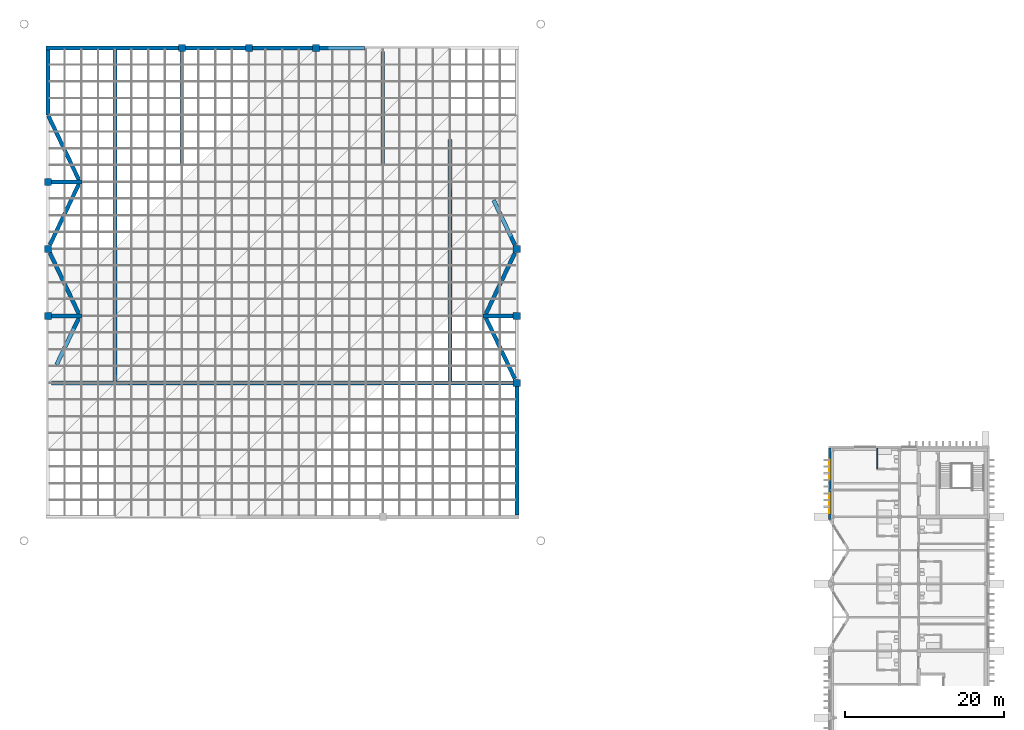
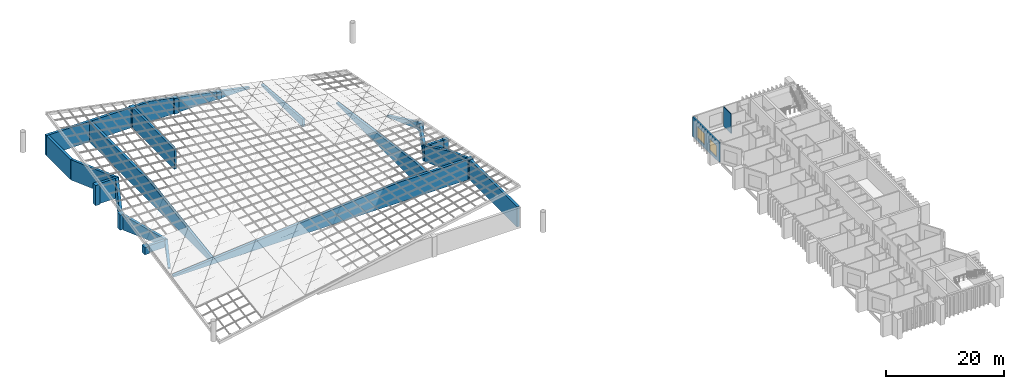
# One storey, part 17 of 20: 32 walls, 2 windows, 2 openings.
"""IFC4 building model written with IfcOpenShell, lengths in metres."""

from ifc_helpers import new_model, si_unit, direction, frame, frame_2d, origin, place, context, subcontext, project, spatial, polyline, rectangle, outline, extrude, material, layer, layer_set, type_object, element, fill, save


model = new_model("IFC4")

# Units and contexts
model_context = context("Model", 3, precision=1e-05, world=origin(), true_north=direction((0.0, 1.0)))
body_context = subcontext(model_context, "Body", "Model", "MODEL_VIEW")
ifc_project = project(units=[si_unit("LENGTHUNIT", "METRE"), si_unit("AREAUNIT", "SQUARE_METRE"), si_unit("VOLUMEUNIT", "CUBIC_METRE"), si_unit("PLANEANGLEUNIT", "RADIAN"), si_unit("MASSUNIT", "GRAM", prefix="KILO")], contexts=[model_context])

# Site, building, storey
site_placement = place(None, origin())
site = spatial("IfcSite", under=ifc_project, at=site_placement, CompositionType="ELEMENT")
building_placement = place(site_placement, origin())
building = spatial("IfcBuilding", under=site, at=building_placement, Name="Cresset Court Congress Hotel", CompositionType="ELEMENT")
storey_placement = place(building_placement, frame((0.0, 0.0, 27.0)))
storey = spatial("IfcBuildingStorey", under=building, at=storey_placement, Name="L06", CompositionType="ELEMENT", Elevation=27.0)

# Wall
ifc_material_1 = material(Name="Gypsum board partition")
ifc_layer_1 = layer(ifc_material_1, 0.14990234375)
ifc_layer_set_1 = layer_set([ifc_layer_1], Name="En-suite wall 150")
wall_type_1 = type_object("IfcWallType", Name="En-suite wall 150", PredefinedType="PARTITIONING", material=ifc_layer_set_1)
wall_1_placement = place(storey_placement, frame((162.800048828125, 64.800048828125, 0.0), z_axis=(0.0, 0.0, 1.0), x_axis=(0.0, 1.0, 0.0)))
element("IfcWall", 1, at=wall_1_placement, inside=storey, type_object=wall_type_1, Name="A.wl.L06.031", PredefinedType="PARTITIONING", context=body_context, shape_type="SweptSolid", body=[
    extrude(rectangle(XDim=2.619873046875, YDim=0.14990234375, at=frame_2d((1.31005859375, 0.0))), origin(), (0.0, 0.0, 1.0), 4.050048828125),
])

# Wall, openings, windows
ifc_material_2 = material(Name="Precast concrete C50", Category="concrete")
ifc_layer_2 = layer(ifc_material_2, 0.280029296875)
ifc_layer_set_2 = layer_set([ifc_layer_2], Name="External wall 280")
wall_type_2 = type_object("IfcWallType", Name="External wall 280", PredefinedType="SOLIDWALL", material=ifc_layer_set_2)
wall_2_placement = place(storey_placement, frame((156.840087890625, 58.449951171875, 0.0), z_axis=(0.0, 0.0, 1.0), x_axis=(0.0, 1.0, 0.0)))
wall_2 = element("IfcWall", 2, at=wall_2_placement, inside=storey, type_object=wall_type_2, Name="A.ew.L06.W.5", PredefinedType="SOLIDWALL", context=body_context, shape_type="SweptSolid", body=[
    extrude(rectangle(XDim=8.969970703125, YDim=0.280029296875, at=frame_2d((4.48486328125, 0.0))), origin(), (0.0, 0.0, 1.0), 4.050048828125),
])
opening_1_placement = place(wall_2_placement, frame((0.77001953125, 0.0, 0.60009765625)))
opening_1 = element("IfcOpeningElement", 3, at=opening_1_placement, cuts=wall_2, Name="Opening NA-06-15", PredefinedType="OPENING", context=body_context, shape_type="SweptSolid", body=[
    extrude(rectangle(XDim=2.52001953125, YDim=2.39990234375, at=frame_2d((1.260009765625, 1.199951171875))), frame((0.0, 0.14990234375, 0.0), z_axis=(0.0, -1.0, 0.0), x_axis=(1.0, 0.0, 0.0)), (0.0, 0.0, 1.0), 0.300048828125),
])
opening_2_placement = place(wall_2_placement, frame((4.969970703125, 0.0, 0.60009765625)))
opening_2 = element("IfcOpeningElement", 4, at=opening_2_placement, cuts=wall_2, Name="Opening NA-06-16", PredefinedType="OPENING", context=body_context, shape_type="SweptSolid", body=[
    extrude(rectangle(XDim=2.52001953125, YDim=2.39990234375, at=frame_2d((1.260009765625, 1.199951171875))), frame((0.0, 0.14990234375, 0.0), z_axis=(0.0, -1.0, 0.0), x_axis=(1.0, 0.0, 0.0)), (0.0, 0.0, 1.0), 0.300048828125),
])
ifc_material_3 = material(Name="Aluminium and glass", Category="aluminium")
window_type = type_object("IfcWindowType", Name="Window 2520x2400", PartitioningType="SINGLE_PANEL", PredefinedType="WINDOW", material=ifc_material_3)
window_1_placement = place(opening_1_placement, origin())
window_1 = element("IfcWindow", 5, at=window_1_placement, inside=storey, type_object=window_type, Name="Window NA-06-15", OverallHeight=2.39990234375, OverallWidth=2.52001953125, PartitioningType="SINGLE_PANEL", PredefinedType="WINDOW", context=body_context, shape_type="SweptSolid", body=[
    extrude(rectangle(XDim=2.52001953125, YDim=2.39990234375, at=frame_2d((1.260009765625, 1.199951171875))), frame((0.0, 0.030029296875, 0.0), z_axis=(0.0, -1.0, 0.0), x_axis=(1.0, 0.0, 0.0)), (0.0, 0.0, 1.0), 0.06005859375),
])
fill(opening_1, window_1)
window_2_placement = place(opening_2_placement, origin())
window_2 = element("IfcWindow", 6, at=window_2_placement, inside=storey, type_object=window_type, Name="Window NA-06-16", OverallHeight=2.39990234375, OverallWidth=2.52001953125, PartitioningType="SINGLE_PANEL", PredefinedType="WINDOW", context=body_context, shape_type="SweptSolid", body=[
    extrude(rectangle(XDim=2.52001953125, YDim=2.39990234375, at=frame_2d((1.260009765625, 1.199951171875))), frame((0.0, 0.030029296875, 0.0), z_axis=(0.0, -1.0, 0.0), x_axis=(1.0, 0.0, 0.0)), (0.0, 0.0, 1.0), 0.06005859375),
])
fill(opening_2, window_2)

# Walls
ifc_material_4 = material(Name="Concrete C50", Category="concrete")
ifc_layer_3 = layer(ifc_material_4, 0.449951171875)
ifc_layer_set_3 = layer_set([ifc_layer_3], Name="Fly-tower wall 450")
wall_type_3 = type_object("IfcWallType", Name="Fly-tower wall 450", PredefinedType="SOLIDWALL", material=ifc_layer_set_3)
wall_3_placement = place(storey_placement, frame((75.60009765625, 103.0, 0.0), z_axis=(0.0, 0.0, 1.0), x_axis=(0.0, 1.0, 0.0)))
element("IfcWall", 7, at=wall_3_placement, inside=storey, type_object=wall_type_3, Name="Wall CS-1L06", PredefinedType="SOLIDWALL", context=body_context, shape_type="SweptSolid", body=[
    extrude(outline(polyline([(0.0, 0.0), (14.14990234375, 0.0), (14.14990234375, 4.199951171875), (0.6640625, 4.199951171875), (0.0, 4.142822265625), (0.0, 0.0)])), frame((0.0, 0.22509765625, 0.0), z_axis=(0.0, -1.0, 0.0), x_axis=(1.0, 0.0, 0.0)), (0.0, 0.0, 1.0), 0.449951171875),
])
wall_4_placement = place(storey_placement, frame((100.800048828125, 103.0, 0.0), z_axis=(0.0, 0.0, 1.0), x_axis=(0.0, 1.0, 0.0)))
element("IfcWall", 8, at=wall_4_placement, inside=storey, type_object=wall_type_3, Name="Wall CS-2L06", PredefinedType="SOLIDWALL", context=body_context, shape_type="SweptSolid", body=[
    extrude(outline(polyline([(0.0, 0.0), (14.14990234375, 0.0), (14.14990234375, 0.380126953125), (0.0, 1.59716796875), (0.0, 0.0)])), frame((0.0, 0.22509765625, 0.0), z_axis=(0.0, -1.0, 0.0), x_axis=(1.0, 0.0, 0.0)), (0.0, 0.0, 1.0), 0.449951171875),
])
ifc_material_5 = material(Name="Concrete C50", Category="concrete")
ifc_layer_4 = layer(ifc_material_5, 0.5)
ifc_layer_set_4 = layer_set([ifc_layer_4], Name="Hall inner wall 500")
wall_type_4 = type_object("IfcWallType", Name="Hall inner wall 500", PredefinedType="SOLIDWALL", material=ifc_layer_set_4)
wall_5_placement = place(storey_placement, frame((59.25, 75.60009765625, 0.0), z_axis=(0.0, 0.0, 1.0), x_axis=(1.0, 0.0, 0.0)))
element("IfcWall", 9, at=wall_5_placement, inside=storey, type_object=wall_type_4, Name="Wall CI-RL06", PredefinedType="SOLIDWALL", context=body_context, shape_type="SweptSolid", body=[
    extrude(outline(polyline([(0.0, 0.0), (57.89990234375, 0.0), (57.89990234375, 4.199951171875), (44.4140625, 4.199951171875), (0.0, 0.380126953125), (0.0, 0.0)])), frame((0.0, 0.25, 0.0), z_axis=(0.0, -1.0, 0.0), x_axis=(1.0, 0.0, 0.0)), (0.0, 0.0, 1.0), 0.5),
])
wall_6_placement = place(storey_placement, frame((67.199951171875, 75.85009765625, 0.0), z_axis=(0.0, 0.0, 1.0), x_axis=(0.0, 1.0, 0.0)))
element("IfcWall", 10, at=wall_6_placement, inside=storey, type_object=wall_type_4, Name="Wall CI-WL06", PredefinedType="SOLIDWALL", context=body_context, shape_type="SweptSolid", body=[
    extrude(outline(polyline([(0.0, 0.0), (41.5, 0.0), (41.5, 4.199951171875), (21.62841796875, 4.199951171875), (0.0, 1.099609375), (0.0, 0.0)])), frame((0.0, 0.25, 0.0), z_axis=(0.0, -1.0, 0.0), x_axis=(1.0, 0.0, 0.0)), (0.0, 0.0, 1.0), 0.5),
])
wall_7_placement = place(storey_placement, frame((109.199951171875, 106.12890625, 0.0), z_axis=(0.0, 0.0, 1.0), x_axis=(0.0, -1.0, 0.0)))
element("IfcWall", 11, at=wall_7_placement, inside=storey, type_object=wall_type_4, Name="Wall CI-EL06", PredefinedType="SOLIDWALL", context=body_context, shape_type="SweptSolid", body=[
    extrude(outline(polyline([(0.0, 0.0), (30.27880859375, 0.0), (30.279052734375, 4.199951171875), (27.20751953125, 4.199951171875), (0.0, 0.300048828125), (0.0, 0.0)])), frame((0.0, 0.25, 0.0), z_axis=(0.0, -1.0, 0.0), x_axis=(1.0, 0.0, 0.0)), (0.0, 0.0, 1.0), 0.5),
])
ifc_material_6 = material(Name="Limestone-faced precast concrete C50", Category="masonry")
ifc_layer_5 = layer(ifc_material_6, 0.5)
ifc_layer_set_5 = layer_set([ifc_layer_5], Name="Hall perimeter wall 500")
wall_type_5 = type_object("IfcWallType", Name="Hall perimeter wall 500", PredefinedType="SOLIDWALL", material=ifc_layer_set_5)
wall_8_placement = place(storey_placement, frame((117.60009765625, 75.14990234375, 0.0), z_axis=(0.0, 0.0, 1.0), x_axis=(0.0, -1.0, 0.0)))
element("IfcWall", 12, at=wall_8_placement, inside=storey, type_object=wall_type_5, Name="Wall CW-EL06-1", PredefinedType="SOLIDWALL", context=body_context, shape_type="SweptSolid", body=[
    extrude(rectangle(XDim=16.099853515625, YDim=0.5, at=frame_2d((8.0498046875, 0.0))), origin(), (0.0, 0.0, 1.0), 4.199951171875),
])
wall_9_placement = place(storey_placement, frame((113.66552734375, 83.862548828125, 0.0), z_axis=(0.0, 0.0, 1.0), x_axis=(0.429922557701, -0.902865767642, 0.0)))
element("IfcWall", 13, at=wall_9_placement, inside=storey, type_object=wall_type_5, Name="Wall CW-EL06-2", PredefinedType="SOLIDWALL", context=body_context, shape_type="SweptSolid", body=[
    extrude(outline(polyline([(0.0, 0.0), (8.59765625, 0.0), (8.59765625, 4.199951171875), (5.303955078125, 4.199951171875), (0.0, 3.239013671875), (0.0, 0.0)])), frame((0.0, 0.25, 0.0), z_axis=(0.0, -1.0, 0.0), x_axis=(1.0, 0.0, 0.0)), (0.0, 0.0, 1.0), 0.5),
])
wall_10_placement = place(storey_placement, frame((117.36181640625, 91.89990234375, 0.0), z_axis=(0.0, 0.0, 1.0), x_axis=(-0.429922557701, -0.902865767642, 0.0)))
element("IfcWall", 14, at=wall_10_placement, inside=storey, type_object=wall_type_5, Name="Wall CW-EL06-3", PredefinedType="SOLIDWALL", context=body_context, shape_type="SweptSolid", body=[
    extrude(outline(polyline([(0.0, 0.0), (8.59765625, 0.0), (8.59765625, 3.183837890625), (0.0, 1.6259765625), (0.0, 0.0)])), frame((0.0, 0.25, 0.0), z_axis=(0.0, -1.0, 0.0), x_axis=(1.0, 0.0, 0.0)), (0.0, 0.0, 1.0), 0.5),
])
wall_11_placement = place(storey_placement, frame((114.691650390625, 98.507568359375, 0.0), z_axis=(0.0, 0.0, 1.0), x_axis=(0.429913744544, -0.902869964199, 0.0)))
element("IfcWall", 15, at=wall_11_placement, inside=storey, type_object=wall_type_5, Name="Wall CW-EL06-4", PredefinedType="SOLIDWALL", context=body_context, shape_type="SweptSolid", body=[
    extrude(outline(polyline([(0.0, 0.0), (6.2109375, 0.0), (6.2109375, 1.42529296875), (0.0, 0.300048828125), (0.0, 0.0)])), frame((0.0, 0.25, 0.0), z_axis=(0.0, -1.0, 0.0), x_axis=(1.0, 0.0, 0.0)), (0.0, 0.0, 1.0), 0.5),
])
wall_12_placement = place(storey_placement, frame((113.35009765625, 84.0, 0.0), z_axis=(0.0, 0.0, 1.0), x_axis=(1.0, 0.0, 0.0)))
element("IfcWall", 16, at=wall_12_placement, inside=storey, type_object=wall_type_5, Name="Wall CW-EL06-R1", PredefinedType="SOLIDWALL", context=body_context, shape_type="SweptSolid", body=[
    extrude(rectangle(XDim=3.7998046875, YDim=0.5, at=frame_2d((1.89990234375, 0.0))), origin(), (0.0, 0.0, 1.0), 3.1611328125),
])
wall_13_placement = place(storey_placement, frame((92.85009765625, 117.60009765625, 0.0), z_axis=(0.0, 0.0, 1.0), x_axis=(1.0, 0.0, 0.0)))
element("IfcWall", 17, at=wall_13_placement, inside=storey, type_object=wall_type_5, Name="Wall CW-NL06-2", PredefinedType="SOLIDWALL", context=body_context, shape_type="SweptSolid", body=[
    extrude(outline(polyline([(0.0, 0.0), (5.657470703125, 0.0), (5.65771484375, 0.300048828125), (0.0, 1.435302734375), (0.0, 0.0)])), frame((0.0, 0.25, 0.0), z_axis=(0.0, -1.0, 0.0), x_axis=(1.0, 0.0, 0.0)), (0.0, 0.0, 1.0), 0.5),
])
wall_14_placement = place(storey_placement, frame((84.449951171875, 117.60009765625, 0.0), z_axis=(0.0, 0.0, 1.0), x_axis=(1.0, 0.0, 0.0)))
element("IfcWall", 18, at=wall_14_placement, inside=storey, type_object=wall_type_5, Name="Wall CW-NL06-3", PredefinedType="SOLIDWALL", context=body_context, shape_type="SweptSolid", body=[
    extrude(outline(polyline([(0.0, 0.0), (7.5, 0.0), (7.5, 1.615966796875), (0.0, 3.12109375), (0.0, 0.0)])), frame((0.0, 0.25, 0.0), z_axis=(0.0, -1.0, 0.0), x_axis=(1.0, 0.0, 0.0)), (0.0, 0.0, 1.0), 0.5),
])
wall_15_placement = place(storey_placement, frame((76.050048828125, 117.60009765625, 0.0), z_axis=(0.0, 0.0, 1.0), x_axis=(1.0, 0.0, 0.0)))
element("IfcWall", 19, at=wall_15_placement, inside=storey, type_object=wall_type_5, Name="Wall CW-NL06-4", PredefinedType="SOLIDWALL", context=body_context, shape_type="SweptSolid", body=[
    extrude(outline(polyline([(0.0, 0.0), (7.5, 0.0), (7.5, 3.3017578125), (3.023681640625, 4.199951171875), (0.0, 4.199951171875), (0.0, 0.0)])), frame((0.0, 0.25, 0.0), z_axis=(0.0, -1.0, 0.0), x_axis=(1.0, 0.0, 0.0)), (0.0, 0.0, 1.0), 0.5),
])
wall_16_placement = place(storey_placement, frame((58.550048828125, 117.60009765625, 0.0), z_axis=(0.0, 0.0, 1.0), x_axis=(1.0, 0.0, 0.0)))
element("IfcWall", 20, at=wall_16_placement, inside=storey, type_object=wall_type_5, Name="Wall CW-NL06-5", PredefinedType="SOLIDWALL", context=body_context, shape_type="SweptSolid", body=[
    extrude(rectangle(XDim=16.599853515625, YDim=0.5, at=frame_2d((8.2998046875, 0.0))), origin(), (0.0, 0.0, 1.0), 4.199951171875),
])
wall_17_placement = place(storey_placement, frame((58.800048828125, 109.199951171875, 0.0), z_axis=(0.0, 0.0, 1.0), x_axis=(0.0, 1.0, 0.0)))
element("IfcWall", 21, at=wall_17_placement, inside=storey, type_object=wall_type_5, Name="Wall CW-WL06-1.1", PredefinedType="SOLIDWALL", context=body_context, shape_type="SweptSolid", body=[
    extrude(rectangle(XDim=8.150146484375, YDim=0.5, at=frame_2d((4.0751953125, 0.0))), origin(), (0.0, 0.0, 1.0), 4.199951171875),
])
wall_18_placement = place(storey_placement, frame((62.734619140625, 100.9375, 0.0), z_axis=(0.0, 0.0, 1.0), x_axis=(-0.429953375566, 0.902851092284, 0.0)))
element("IfcWall", 22, at=wall_18_placement, inside=storey, type_object=wall_type_5, Name="Wall CW-WL06-1.2", PredefinedType="SOLIDWALL", context=body_context, shape_type="SweptSolid", body=[
    extrude(rectangle(XDim=9.09619140625, YDim=0.5, at=frame_2d((4.548095703125, 0.0))), origin(), (0.0, 0.0, 1.0), 4.199951171875),
])
wall_19_placement = place(storey_placement, frame((59.0380859375, 92.89990234375, 0.0), z_axis=(0.0, 0.0, 1.0), x_axis=(0.429934682616, 0.902859993955, 0.0)))
element("IfcWall", 23, at=wall_19_placement, inside=storey, type_object=wall_type_5, Name="Wall CW-WL06-2", PredefinedType="SOLIDWALL", context=body_context, shape_type="SweptSolid", body=[
    extrude(outline(polyline([(0.0, 0.0), (8.597900390625, 0.0), (8.59765625, 4.199951171875), (4.902587890625, 4.199951171875), (0.0, 3.311767578125), (0.0, 0.0)])), frame((0.0, 0.25, 0.0), z_axis=(0.0, -1.0, 0.0), x_axis=(1.0, 0.0, 0.0)), (0.0, 0.0, 1.0), 0.5),
])
wall_20_placement = place(storey_placement, frame((62.734619140625, 84.137451171875, 0.0), z_axis=(0.0, 0.0, 1.0), x_axis=(-0.429945705131, 0.902854745039, 0.0)))
element("IfcWall", 24, at=wall_20_placement, inside=storey, type_object=wall_type_5, Name="Wall CW-WL06-3", PredefinedType="SOLIDWALL", context=body_context, shape_type="SweptSolid", body=[
    extrude(outline(polyline([(0.0, 0.0), (8.59765625, 0.0), (8.59765625, 3.111083984375), (0.0, 1.55322265625), (0.0, 0.0)])), frame((0.0, 0.25, 0.0), z_axis=(0.0, -1.0, 0.0), x_axis=(1.0, 0.0, 0.0)), (0.0, 0.0, 1.0), 0.5),
])
wall_21_placement = place(storey_placement, frame((59.8916015625, 77.892333984375, 0.0), z_axis=(0.0, 0.0, 1.0), x_axis=(0.42994074612, 0.902857106538, 0.0)))
element("IfcWall", 25, at=wall_21_placement, inside=storey, type_object=wall_type_5, Name="Wall CW-WL06-4", PredefinedType="SOLIDWALL", context=body_context, shape_type="SweptSolid", body=[
    extrude(outline(polyline([(0.0, 0.0), (6.612548828125, 0.0), (6.612548828125, 1.498046875), (0.0, 0.300048828125), (0.0, 0.0)])), frame((0.0, 0.25, 0.0), z_axis=(0.0, -1.0, 0.0), x_axis=(1.0, 0.0, 0.0)), (0.0, 0.0, 1.0), 0.5),
])
wall_22_placement = place(storey_placement, frame((63.050048828125, 100.800048828125, 0.0), z_axis=(0.0, 0.0, 1.0), x_axis=(-1.0, 0.0, 0.0)))
element("IfcWall", 26, at=wall_22_placement, inside=storey, type_object=wall_type_5, Name="Wall CW-WL06-R1", PredefinedType="SOLIDWALL", context=body_context, shape_type="SweptSolid", body=[
    extrude(rectangle(XDim=3.800048828125, YDim=0.5, at=frame_2d((1.89990234375, 0.0))), origin(), (0.0, 0.0, 1.0), 4.199951171875),
])
wall_23_placement = place(storey_placement, frame((63.050048828125, 84.0, 0.0), z_axis=(0.0, 0.0, 1.0), x_axis=(-1.0, 0.0, 0.0)))
element("IfcWall", 27, at=wall_23_placement, inside=storey, type_object=wall_type_5, Name="Wall CW-WL06-R2", PredefinedType="SOLIDWALL", context=body_context, shape_type="SweptSolid", body=[
    extrude(rectangle(XDim=3.800048828125, YDim=0.5, at=frame_2d((1.89990234375, 0.0))), origin(), (0.0, 0.0, 1.0), 1.4755859375),
])
ifc_material_7 = material(Name="Concrete C50", Category="concrete")
ifc_layer_6 = layer(ifc_material_7, 0.89990234375)
ifc_layer_set_6 = layer_set([ifc_layer_6], Name="Hall pilaster 900x900")
wall_type_6 = type_object("IfcWallType", Name="Hall pilaster 900x900", PredefinedType="SOLIDWALL", material=ifc_layer_set_6)
wall_24_placement = place(storey_placement, frame((117.60009765625, 75.14990234375, 0.0), z_axis=(0.0, 0.0, 1.0), x_axis=(0.0, 1.0, 0.0)))
element("IfcWall", 28, at=wall_24_placement, inside=storey, type_object=wall_type_6, Name="Pilaster P-E1", PredefinedType="SOLIDWALL", context=body_context, shape_type="SweptSolid", body=[
    extrude(rectangle(XDim=0.900146484375, YDim=0.89990234375, at=frame_2d((0.4501953125, 0.0))), origin(), (0.0, 0.0, 1.0), 4.199951171875),
])
wall_25_placement = place(storey_placement, frame((117.60009765625, 83.550048828125, 0.0), z_axis=(0.0, 0.0, 1.0), x_axis=(0.0, 1.0, 0.0)))
element("IfcWall", 29, at=wall_25_placement, inside=storey, type_object=wall_type_6, Name="Pilaster P-E2", PredefinedType="SOLIDWALL", context=body_context, shape_type="SweptSolid", body=[
    extrude(outline(polyline([(0.0, 0.0), (0.89990234375, 0.0), (0.89990234375, 3.12109375), (0.0, 3.3017578125), (0.0, 0.0)])), frame((0.0, 0.449951171875, 0.0), z_axis=(0.0, -1.0, 0.0), x_axis=(1.0, 0.0, 0.0)), (0.0, 0.0, 1.0), 0.89990234375),
])
wall_26_placement = place(storey_placement, frame((117.60009765625, 91.949951171875, 0.0), z_axis=(0.0, 0.0, 1.0), x_axis=(0.0, 1.0, 0.0)))
element("IfcWall", 30, at=wall_26_placement, inside=storey, type_object=wall_type_6, Name="Pilaster P-E3", PredefinedType="SOLIDWALL", context=body_context, shape_type="SweptSolid", body=[
    extrude(outline(polyline([(0.0, 0.0), (0.900146484375, 0.0), (0.89990234375, 1.435302734375), (0.0, 1.615966796875), (0.0, 0.0)])), frame((0.0, 0.449951171875, 0.0), z_axis=(0.0, -1.0, 0.0), x_axis=(1.0, 0.0, 0.0)), (0.0, 0.0, 1.0), 0.89990234375),
])
wall_27_placement = place(storey_placement, frame((92.85009765625, 117.60009765625, 0.0), z_axis=(0.0, 0.0, 1.0), x_axis=(-1.0, 0.0, 0.0)))
element("IfcWall", 31, at=wall_27_placement, inside=storey, type_object=wall_type_6, Name="Pilaster P-N2", PredefinedType="SOLIDWALL", context=body_context, shape_type="SweptSolid", body=[
    extrude(outline(polyline([(0.0, 0.0), (0.900146484375, 0.0), (0.89990234375, 1.615966796875), (0.0, 1.435302734375), (0.0, 0.0)])), frame((0.0, 0.449951171875, 0.0), z_axis=(0.0, -1.0, 0.0), x_axis=(1.0, 0.0, 0.0)), (0.0, 0.0, 1.0), 0.89990234375),
])
wall_28_placement = place(storey_placement, frame((84.449951171875, 117.60009765625, 0.0), z_axis=(0.0, 0.0, 1.0), x_axis=(-1.0, 0.0, 0.0)))
element("IfcWall", 32, at=wall_28_placement, inside=storey, type_object=wall_type_6, Name="Pilaster P-N3", PredefinedType="SOLIDWALL", context=body_context, shape_type="SweptSolid", body=[
    extrude(outline(polyline([(0.0, 0.0), (0.89990234375, 0.0), (0.89990234375, 3.3017578125), (0.0, 3.12109375), (0.0, 0.0)])), frame((0.0, 0.449951171875, 0.0), z_axis=(0.0, -1.0, 0.0), x_axis=(1.0, 0.0, 0.0)), (0.0, 0.0, 1.0), 0.89990234375),
])
wall_29_placement = place(storey_placement, frame((76.050048828125, 117.60009765625, 0.0), z_axis=(0.0, 0.0, 1.0), x_axis=(-1.0, 0.0, 0.0)))
element("IfcWall", 33, at=wall_29_placement, inside=storey, type_object=wall_type_6, Name="Pilaster P-N4", PredefinedType="SOLIDWALL", context=body_context, shape_type="SweptSolid", body=[
    extrude(rectangle(XDim=0.900146484375, YDim=0.89990234375, at=frame_2d((0.4501953125, 0.0))), origin(), (0.0, 0.0, 1.0), 4.199951171875),
])
wall_30_placement = place(storey_placement, frame((58.800048828125, 101.25, 0.0), z_axis=(0.0, 0.0, 1.0), x_axis=(0.0, -1.0, 0.0)))
element("IfcWall", 34, at=wall_30_placement, inside=storey, type_object=wall_type_6, Name="Pilaster P-W1", PredefinedType="SOLIDWALL", context=body_context, shape_type="SweptSolid", body=[
    extrude(rectangle(XDim=0.89990234375, YDim=0.89990234375, at=frame_2d((0.449951171875, 0.0))), origin(), (0.0, 0.0, 1.0), 4.199951171875),
])
wall_31_placement = place(storey_placement, frame((58.800048828125, 92.85009765625, 0.0), z_axis=(0.0, 0.0, 1.0), x_axis=(0.0, -1.0, 0.0)))
element("IfcWall", 35, at=wall_31_placement, inside=storey, type_object=wall_type_6, Name="Pilaster P-W2", PredefinedType="SOLIDWALL", context=body_context, shape_type="SweptSolid", body=[
    extrude(outline(polyline([(0.0, 0.0), (0.900146484375, 0.0), (0.89990234375, 3.12109375), (0.0, 3.3017578125), (0.0, 0.0)])), frame((0.0, 0.449951171875, 0.0), z_axis=(0.0, -1.0, 0.0), x_axis=(1.0, 0.0, 0.0)), (0.0, 0.0, 1.0), 0.89990234375),
])
wall_32_placement = place(storey_placement, frame((58.800048828125, 84.449951171875, 0.0), z_axis=(0.0, 0.0, 1.0), x_axis=(0.0, -1.0, 0.0)))
element("IfcWall", 36, at=wall_32_placement, inside=storey, type_object=wall_type_6, Name="Pilaster P-W3", PredefinedType="SOLIDWALL", context=body_context, shape_type="SweptSolid", body=[
    extrude(outline(polyline([(0.0, 0.0), (0.89990234375, 0.0), (0.89990234375, 1.435302734375), (0.0, 1.615966796875), (0.0, 0.0)])), frame((0.0, 0.449951171875, 0.0), z_axis=(0.0, -1.0, 0.0), x_axis=(1.0, 0.0, 0.0)), (0.0, 0.0, 1.0), 0.89990234375),
])

save(model, "model.ifc")
